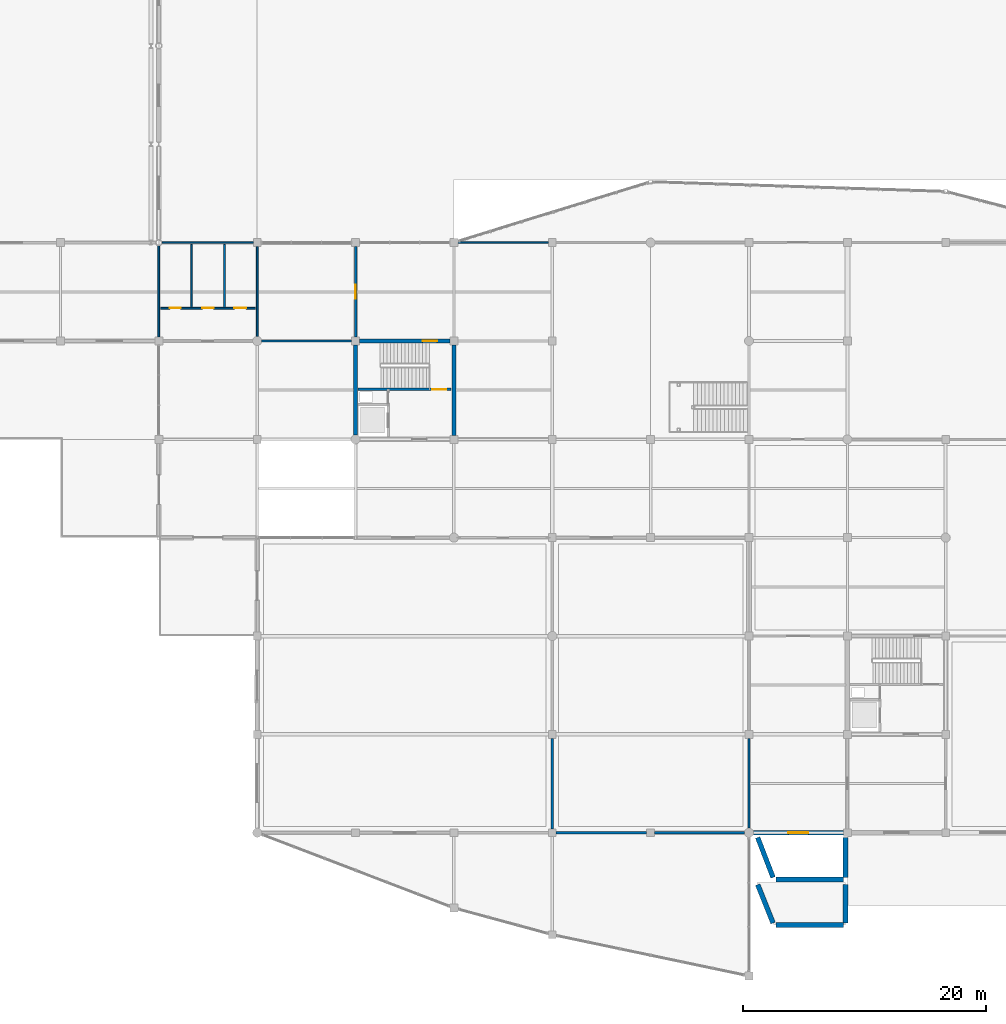
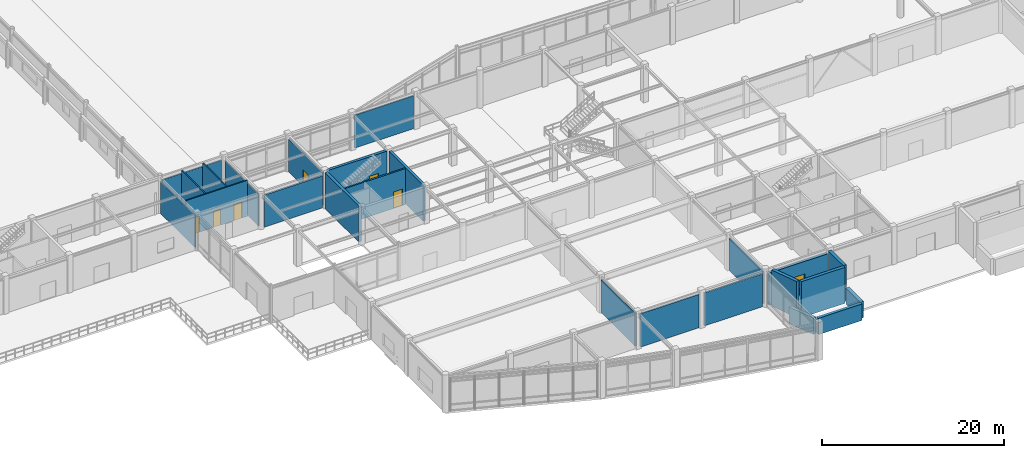
# One storey, part 62 of 99: 24 walls, 6 doors, 1 window, 7 openings.
"""IFC4 building model written with IfcOpenShell, lengths in metres."""

from ifc_helpers import new_model, si_unit, direction, frame, frame_2d, origin, place, context, subcontext, project, spatial, rectangle, extrude, material, layer, layer_set, type_object, element, fill, save


model = new_model("IFC4")

# Units and contexts
model_context = context("Model", 3, precision=1e-05, world=origin(), true_north=direction((0.0, 1.0)))
body_context = subcontext(model_context, "Body", "Model", "MODEL_VIEW")
ifc_project = project(units=[si_unit("LENGTHUNIT", "METRE"), si_unit("AREAUNIT", "SQUARE_METRE"), si_unit("VOLUMEUNIT", "CUBIC_METRE"), si_unit("PLANEANGLEUNIT", "RADIAN"), si_unit("MASSUNIT", "GRAM", prefix="KILO")], contexts=[model_context])

# Site, building, storey
site_placement = place(None, origin())
site = spatial("IfcSite", under=ifc_project, at=site_placement, CompositionType="ELEMENT")
building_placement = place(site_placement, origin())
building = spatial("IfcBuilding", under=site, at=building_placement, Name="Vaudrelin Polytechnic", CompositionType="ELEMENT")
storey_placement = place(building_placement, origin())
storey = spatial("IfcBuildingStorey", under=building, at=storey_placement, Name="L00", CompositionType="ELEMENT", Elevation=0.0)

# Wall, opening, window
ifc_material_1 = material(Name="Concrete 35 MPa", Category="concrete")
ifc_layer_1 = layer(ifc_material_1, 0.39990234375)
ifc_layer_set_1 = layer_set([ifc_layer_1], Name="Concrete 35 MPa")
wall_type_1 = type_object("IfcWallType", Name="WAL-EW-BERM400", PredefinedType="STANDARD", material=ifc_layer_set_1)
wall_1_placement = place(storey_placement, frame((81.373046875, 0.0, 0.0), z_axis=(0.0, 0.0, 1.0), x_axis=(1.0, 0.0, 0.0)))
wall_1 = element("IfcWall", 1, at=wall_1_placement, inside=storey, type_object=wall_type_1, Name="Exterior wall L00 S_V3_00", PredefinedType="STANDARD", context=body_context, shape_type="SweptSolid", body=[
    extrude(rectangle(XDim=7.404052734375, YDim=0.39990234375, at=frame_2d((3.7021484375, 0.0))), origin(), (0.0, 0.0, 1.0), 4.2890625),
])
opening_1_placement = place(wall_1_placement, frame((2.876953125, 0.0, 0.85009765625)))
opening_1 = element("IfcOpeningElement", 2, at=opening_1_placement, cuts=wall_1, Name="Opening W-L00-S-V3-01", PredefinedType="OPENING", context=body_context, shape_type="SweptSolid", body=[
    extrude(rectangle(XDim=1.64990234375, YDim=1.75, at=frame_2d((0.824951171875, 0.875))), frame((0.0, 0.2099609375, 0.0), z_axis=(0.0, -1.0, 0.0), x_axis=(1.0, 0.0, 0.0)), (0.0, 0.0, 1.0), 0.419921875),
])
ifc_material_2 = material(Name="Thermally broken aluminium frame with triple low-e glazing", Category="aluminium")
window_type = type_object("IfcWindowType", Name="WIN-WN-18", PartitioningType="SINGLE_PANEL", PredefinedType="WINDOW", material=ifc_material_2)
window_placement = place(opening_1_placement, origin())
window = element("IfcWindow", 3, at=window_placement, inside=storey, type_object=window_type, Name="Facade window L00-S_V3_00", OverallHeight=1.75, OverallWidth=1.64990234375, PartitioningType="SINGLE_PANEL", PredefinedType="WINDOW", context=body_context, shape_type="SweptSolid", body=[
    extrude(rectangle(XDim=1.64990234375, YDim=1.75, at=frame_2d((0.824951171875, 0.875))), frame((0.0, 0.030029296875, 0.0), z_axis=(0.0, -1.0, 0.0), x_axis=(1.0, 0.0, 0.0)), (0.0, 0.0, 1.0), 0.06005859375),
])
fill(opening_1, window)

# Walls
ifc_material_3 = material(Name="Acoustic double-stud gypsum & mineral-wool partition", Category="gypsum")
ifc_layer_2 = layer(ifc_material_3, 0.179931640625)
ifc_layer_set_2 = layer_set([ifc_layer_2], Name="Acoustic double-stud gypsum & mineral-wool partition")
wall_type_2 = type_object("IfcWallType", Name="WAL-PW-AC180", PredefinedType="PARTITIONING", material=ifc_layer_set_2)
wall_2_placement = place(storey_placement, frame((64.800048828125, 0.322998046875, 0.0), z_axis=(0.0, 0.0, 1.0), x_axis=(0.0, 1.0, 0.0)))
element("IfcWall", 4, at=wall_2_placement, inside=storey, type_object=wall_type_2, Name="Partition L00-008 E", PredefinedType="PARTITIONING", context=body_context, shape_type="SweptSolid", body=[
    extrude(rectangle(XDim=7.4541015625, YDim=0.179931640625, at=frame_2d((3.72705078125, 0.0))), origin(), (0.0, 0.0, 1.0), 4.466064453125),
])
wall_3_placement = place(storey_placement, frame((81.0, 0.373046875, 0.0), z_axis=(0.0, 0.0, 1.0), x_axis=(0.0, 1.0, 0.0)))
element("IfcWall", 5, at=wall_3_placement, inside=storey, type_object=wall_type_2, Name="Partition L00-009 E", PredefinedType="PARTITIONING", context=body_context, shape_type="SweptSolid", body=[
    extrude(rectangle(XDim=7.404052734375, YDim=0.179931640625, at=frame_2d((3.7021484375, 0.0))), origin(), (0.0, 0.0, 1.0), 4.2890625),
])
wall_4_placement = place(storey_placement, frame((65.123046875, 0.0, 0.0), z_axis=(0.0, 0.0, 1.0), x_axis=(1.0, 0.0, 0.0)))
element("IfcWall", 6, at=wall_4_placement, inside=storey, type_object=wall_type_2, Name="Partition L00-009 S", PredefinedType="PARTITIONING", context=body_context, shape_type="SweptSolid", body=[
    extrude(rectangle(XDim=7.453857421875, YDim=0.179931640625, at=frame_2d((3.72705078125, 0.0))), origin(), (0.0, 0.0, 1.0), 4.466064453125),
])
wall_5_placement = place(storey_placement, frame((73.222900390625, 0.0, 0.0), z_axis=(0.0, 0.0, 1.0), x_axis=(1.0, 0.0, 0.0)))
element("IfcWall", 7, at=wall_5_placement, inside=storey, type_object=wall_type_2, Name="Partition L00-009 S", PredefinedType="PARTITIONING", context=body_context, shape_type="SweptSolid", body=[
    extrude(rectangle(XDim=7.404052734375, YDim=0.179931640625, at=frame_2d((3.7021484375, 0.0))), origin(), (0.0, 0.0, 1.0), 4.406982421875),
])

# Wall, opening, door
ifc_material_4 = material(Name="Concrete masonry unit 20 MPa shaft & corridor fire wall", Category="masonry")
ifc_layer_3 = layer(ifc_material_4, 0.199951171875)
ifc_layer_set_3 = layer_set([ifc_layer_3], Name="Concrete masonry unit 20 MPa shaft & corridor fire wall")
wall_type_3 = type_object("IfcWallType", Name="WAL-PW-FIRE120", PredefinedType="PARTITIONING", material=ifc_layer_set_3)
wall_6_placement = place(storey_placement, frame((48.60009765625, 40.822998046875, 0.0), z_axis=(0.0, 0.0, 1.0), x_axis=(0.0, 1.0, 0.0)))
wall_6 = element("IfcWall", 8, at=wall_6_placement, inside=storey, type_object=wall_type_3, Name="Partition L00-002 E", PredefinedType="PARTITIONING", context=body_context, shape_type="SweptSolid", body=[
    extrude(rectangle(XDim=7.4541015625, YDim=0.199951171875, at=frame_2d((3.72705078125, 0.0))), origin(), (0.0, 0.0, 1.0), 4.35888671875),
])
opening_2_placement = place(wall_6_placement, frame((3.1669921875, 0.0, 0.0)))
opening_2 = element("IfcOpeningElement", 9, at=opening_2_placement, cuts=wall_6, Name="Opening D-L00-421", PredefinedType="OPENING", context=body_context, shape_type="SweptSolid", body=[
    extrude(rectangle(XDim=1.1201171875, YDim=2.199951171875, at=frame_2d((0.56005859375, 1.10009765625))), frame((0.0, 0.10986328125, 0.0), z_axis=(0.0, -1.0, 0.0), x_axis=(1.0, 0.0, 0.0)), (0.0, 0.0, 1.0), 0.219970703125),
])
ifc_material_5 = material(Name="Pressed galvanised steel acoustic leaf", Category="steel")
door_type_1 = type_object("IfcDoorType", Name="DOR-ID-FCR1", OperationType="NOTDEFINED", PredefinedType="DOOR", material=ifc_material_5)
door_1_placement = place(opening_2_placement, origin())
door_1 = element("IfcDoor", 10, at=door_1_placement, inside=storey, type_object=door_type_1, Name="Fire Command Room door L00-002", OperationType="SINGLE_SWING_LEFT", OverallHeight=2.199951171875, OverallWidth=1.1201171875, PredefinedType="DOOR", context=body_context, shape_type="SweptSolid", body=[
    extrude(rectangle(XDim=1.1201171875, YDim=2.199951171875, at=frame_2d((0.56005859375, 1.10009765625))), frame((0.0, 0.02490234375, 0.0), z_axis=(0.0, -1.0, 0.0), x_axis=(1.0, 0.0, 0.0)), (0.0, 0.0, 1.0), 0.050048828125),
])
fill(opening_2, door_1)

# Walls
wall_7_placement = place(storey_placement, frame((40.873046875, 40.5, 0.0), z_axis=(0.0, 0.0, 1.0), x_axis=(1.0, 0.0, 0.0)))
element("IfcWall", 11, at=wall_7_placement, inside=storey, type_object=wall_type_3, Name="Partition L00-002 S", PredefinedType="PARTITIONING", context=body_context, shape_type="SweptSolid", body=[
    extrude(rectangle(XDim=7.404052734375, YDim=0.199951171875, at=frame_2d((3.7021484375, 0.0))), origin(), (0.0, 0.0, 1.0), 4.2890625),
])
ifc_material_6 = material(Name="Acoustic steel-stud office & study room partition", Category="steel")
ifc_layer_4 = layer(ifc_material_6, 0.135009765625)
ifc_layer_set_4 = layer_set([ifc_layer_4], Name="Acoustic steel-stud office & study room partition")
wall_type_4 = type_object("IfcWallType", Name="WAL-PW-OFF135", PredefinedType="PARTITIONING", material=ifc_layer_set_4)
wall_8_placement = place(storey_placement, frame((57.02294921875, 48.60009765625, 0.0), z_axis=(0.0, 0.0, 1.0), x_axis=(1.0, 0.0, 0.0)))
element("IfcWall", 12, at=wall_8_placement, inside=storey, type_object=wall_type_4, Name="Courtyard exhibition pod partition L00-7", PredefinedType="PARTITIONING", context=body_context, shape_type="SweptSolid", body=[
    extrude(rectangle(XDim=7.4541015625, YDim=0.135009765625, at=frame_2d((3.72705078125, 0.0))), origin(), (0.0, 0.0, 1.0), 4.412109375),
])
ifc_material_7 = material(Name="Cement-board tiled wet-wall washroom partition", Category="gypsum")
ifc_layer_5 = layer(ifc_material_7, 0.139892578125)
ifc_layer_set_5 = layer_set([ifc_layer_5], Name="Cement-board tiled wet-wall washroom partition")
wall_type_5 = type_object("IfcWallType", Name="WAL-PW-WC140", PredefinedType="PARTITIONING", material=ifc_layer_set_5)
wall_9_placement = place(storey_placement, frame((32.652099609375, 48.60009765625, 0.0), z_axis=(0.0, 0.0, 1.0), x_axis=(1.0, 0.0, 0.0)))
element("IfcWall", 13, at=wall_9_placement, inside=storey, type_object=wall_type_5, Name="Washroom enclosure wall L00-4-5-N", PredefinedType="PARTITIONING", context=body_context, shape_type="SweptSolid", body=[
    extrude(rectangle(XDim=7.52490234375, YDim=0.139892578125, at=frame_2d((3.762451171875, 0.0))), origin(), (0.0, 0.0, 1.0), 4.287109375),
])
wall_10_placement = place(storey_placement, frame((32.39990234375, 40.822998046875, 0.0), z_axis=(0.0, 0.0, 1.0), x_axis=(0.0, 1.0, 0.0)))
element("IfcWall", 14, at=wall_10_placement, inside=storey, type_object=wall_type_5, Name="Washroom enclosure wall L00-4-5-W", PredefinedType="PARTITIONING", context=body_context, shape_type="SweptSolid", body=[
    extrude(rectangle(XDim=7.52490234375, YDim=0.139892578125, at=frame_2d((3.762451171875, 0.0))), origin(), (0.0, 0.0, 1.0), 4.27099609375),
])
wall_11_placement = place(storey_placement, frame((40.5, 40.873046875, 0.0), z_axis=(0.0, 0.0, 1.0), x_axis=(0.0, 1.0, 0.0)))
element("IfcWall", 15, at=wall_11_placement, inside=storey, type_object=wall_type_5, Name="Washroom enclosure wall L00-4-5-E", PredefinedType="PARTITIONING", context=body_context, shape_type="SweptSolid", body=[
    extrude(rectangle(XDim=7.404052734375, YDim=0.139892578125, at=frame_2d((3.7021484375, 0.0))), origin(), (0.0, 0.0, 1.0), 4.287109375),
])

# Wall, openings, doors
wall_12_placement = place(storey_placement, frame((32.550048828125, 43.199951171875, 0.0), z_axis=(0.0, 0.0, 1.0), x_axis=(1.0, 0.0, 0.0)))
wall_12 = element("IfcWall", 16, at=wall_12_placement, inside=storey, type_object=wall_type_5, Name="Washroom vestibule divider L00-4-5", PredefinedType="PARTITIONING", context=body_context, shape_type="SweptSolid", body=[
    extrude(rectangle(XDim=7.800048828125, YDim=0.139892578125, at=frame_2d((3.89990234375, 0.0))), origin(), (0.0, 0.0, 1.0), 4.822021484375),
])
opening_3_placement = place(wall_12_placement, frame((0.75, 0.0, 0.0)))
opening_3 = element("IfcOpeningElement", 17, at=opening_3_placement, cuts=wall_12, Name="Opening D-L00-338", PredefinedType="OPENING", context=body_context, shape_type="SweptSolid", body=[
    extrude(rectangle(XDim=0.919921875, YDim=2.14990234375, at=frame_2d((0.4599609375, 1.074951171875))), frame((0.0, 0.080078125, 0.0), z_axis=(0.0, -1.0, 0.0), x_axis=(1.0, 0.0, 0.0)), (0.0, 0.0, 1.0), 0.159912109375),
])
opening_4_placement = place(wall_12_placement, frame((3.43994140625, 0.0, 0.0)))
opening_4 = element("IfcOpeningElement", 18, at=opening_4_placement, cuts=wall_12, Name="Opening D-L00-339", PredefinedType="OPENING", context=body_context, shape_type="SweptSolid", body=[
    extrude(rectangle(XDim=0.919921875, YDim=2.14990234375, at=frame_2d((0.4599609375, 1.074951171875))), frame((0.0, 0.080078125, 0.0), z_axis=(0.0, -1.0, 0.0), x_axis=(1.0, 0.0, 0.0)), (0.0, 0.0, 1.0), 0.159912109375),
])
opening_5_placement = place(wall_12_placement, frame((6.050048828125, 0.0, 0.0)))
opening_5 = element("IfcOpeningElement", 19, at=opening_5_placement, cuts=wall_12, Name="Opening D-L00-340", PredefinedType="OPENING", context=body_context, shape_type="SweptSolid", body=[
    extrude(rectangle(XDim=1.0, YDim=2.14990234375, at=frame_2d((0.5, 1.074951171875))), frame((0.0, 0.080078125, 0.0), z_axis=(0.0, -1.0, 0.0), x_axis=(1.0, 0.0, 0.0)), (0.0, 0.0, 1.0), 0.159912109375),
])
ifc_material_8 = material(Name="Solid-core birch veneer acoustic leaf", Category="wood")
door_type_2 = type_object("IfcDoorType", Name="DOR-ID-AWC1", OperationType="NOTDEFINED", PredefinedType="DOOR", material=ifc_material_8)
door_2_placement = place(opening_5_placement, origin())
door_2 = element("IfcDoor", 20, at=door_2_placement, inside=storey, type_object=door_type_2, Name="Washroom stall-room door L00-4-5-3", OperationType="SINGLE_SWING_LEFT", OverallHeight=2.14990234375, OverallWidth=1.0, PredefinedType="DOOR", context=body_context, shape_type="SweptSolid", body=[
    extrude(rectangle(XDim=1.0, YDim=2.14990234375, at=frame_2d((0.5, 1.074951171875))), frame((0.0, 0.02490234375, 0.0), z_axis=(0.0, -1.0, 0.0), x_axis=(1.0, 0.0, 0.0)), (0.0, 0.0, 1.0), 0.050048828125),
])
fill(opening_5, door_2)
door_type_3 = type_object("IfcDoorType", Name="DOR-ID-WC1", OperationType="NOTDEFINED", PredefinedType="DOOR", material=ifc_material_8)
door_3_placement = place(opening_3_placement, origin())
door_3 = element("IfcDoor", 21, at=door_3_placement, inside=storey, type_object=door_type_3, Name="Washroom stall-room door L00-4-5-1", OperationType="SINGLE_SWING_LEFT", OverallHeight=2.14990234375, OverallWidth=0.919921875, PredefinedType="DOOR", context=body_context, shape_type="SweptSolid", body=[
    extrude(rectangle(XDim=0.919921875, YDim=2.14990234375, at=frame_2d((0.4599609375, 1.074951171875))), frame((0.0, 0.02490234375, 0.0), z_axis=(0.0, -1.0, 0.0), x_axis=(1.0, 0.0, 0.0)), (0.0, 0.0, 1.0), 0.050048828125),
])
fill(opening_3, door_3)
door_4_placement = place(opening_4_placement, origin())
door_4 = element("IfcDoor", 22, at=door_4_placement, inside=storey, type_object=door_type_3, Name="Washroom stall-room door L00-4-5-2", OperationType="SINGLE_SWING_RIGHT", OverallHeight=2.14990234375, OverallWidth=0.919921875, PredefinedType="DOOR", context=body_context, shape_type="SweptSolid", body=[
    extrude(rectangle(XDim=0.919921875, YDim=2.14990234375, at=frame_2d((0.4599609375, 1.074951171875))), frame((0.0, 0.02490234375, 0.0), z_axis=(0.0, -1.0, 0.0), x_axis=(1.0, 0.0, 0.0)), (0.0, 0.0, 1.0), 0.050048828125),
])
fill(opening_4, door_4)

# Walls
for number, where, z_axis, x_axis, name in (
    (23, (35.10009765625, 43.27001953125, 0.0), (0.0, 0.0, 1.0), (0.0, 1.0, 0.0), "Washroom separation wall L00-4-5-1"),
    (24, (37.800048828125, 43.27001953125, 0.0), (0.0, 0.0, 1.0), (0.0, 1.0, 0.0), "Washroom separation wall L00-4-5-2"),
):
    element("IfcWall", number, at=place(storey_placement, frame(where, z_axis=z_axis, x_axis=x_axis)), inside=storey, type_object=wall_type_5, Name=name, PredefinedType="PARTITIONING", context=body_context, shape_type="SweptSolid", body=[
        extrude(rectangle(XDim=5.179931640625, YDim=0.139892578125, at=frame_2d((2.58984375, 0.0))), origin(), (0.0, 0.0, 1.0), 4.822021484375),
    ])

# Wall, opening, door
ifc_material_9 = material(Name="Concrete 40 MPa", Category="concrete")
ifc_layer_6 = layer(ifc_material_9, 0.199951171875)
ifc_layer_set_6 = layer_set([ifc_layer_6], Name="Concrete 40 MPa")
wall_type_6 = type_object("IfcWallType", Name="WAL-SW-CORE200", PredefinedType="SHEAR", material=ifc_layer_set_6)
wall_13_placement = place(storey_placement, frame((48.820068359375, 36.510009765625, 0.0), z_axis=(0.0, 0.0, 1.0), x_axis=(1.0, 0.0, 0.0)))
wall_13 = element("IfcWall", 25, at=wall_13_placement, inside=storey, type_object=wall_type_6, Name="Core C4 stair enclosure wall L00", PredefinedType="SHEAR", context=body_context, shape_type="SweptSolid", body=[
    extrude(rectangle(XDim=7.659912109375, YDim=0.199951171875, at=frame_2d((3.830078125, 0.0))), origin(), (0.0, 0.0, 1.0), 4.822021484375),
])
opening_6_placement = place(wall_13_placement, frame((6.110107421875, 0.0, 0.0)))
opening_6 = element("IfcOpeningElement", 26, at=opening_6_placement, cuts=wall_13, Name="Opening D-L00-064", PredefinedType="OPENING", context=body_context, shape_type="SweptSolid", body=[
    extrude(rectangle(XDim=1.14990234375, YDim=2.199951171875, at=frame_2d((0.574951171875, 1.10009765625))), frame((0.0, 0.10986328125, 0.0), z_axis=(0.0, -1.0, 0.0), x_axis=(1.0, 0.0, 0.0)), (0.0, 0.0, 1.0), 0.219970703125),
])
door_type_4 = type_object("IfcDoorType", Name="DOR-ID-ST1", OperationType="NOTDEFINED", PredefinedType="DOOR", material=ifc_material_5)
door_5_placement = place(opening_6_placement, origin())
door_5 = element("IfcDoor", 27, at=door_5_placement, inside=storey, type_object=door_type_4, Name="Core C4 exit stair door L00", OperationType="SINGLE_SWING_LEFT", OverallHeight=2.199951171875, OverallWidth=1.14990234375, PredefinedType="DOOR", context=body_context, shape_type="SweptSolid", body=[
    extrude(rectangle(XDim=1.14990234375, YDim=2.199951171875, at=frame_2d((0.574951171875, 1.10009765625))), frame((0.0, 0.02490234375, 0.0), z_axis=(0.0, -1.0, 0.0), x_axis=(1.0, 0.0, 0.0)), (0.0, 0.0, 1.0), 0.050048828125),
])
fill(opening_6, door_5)

ifc_material_10 = material(Name="Concrete 50 MPa", Category="concrete")
ifc_layer_7 = layer(ifc_material_10, 0.35009765625)
ifc_layer_set_7 = layer_set([ifc_layer_7], Name="Concrete 50 MPa")
wall_type_7 = type_object("IfcWallType", Name="WAL-SW-CORE350", PredefinedType="SHEAR", material=ifc_layer_set_7)
wall_14_placement = place(storey_placement, frame((48.923095703125, 40.5, 0.0), z_axis=(0.0, 0.0, 1.0), x_axis=(1.0, 0.0, 0.0)))
wall_14 = element("IfcWall", 28, at=wall_14_placement, inside=storey, type_object=wall_type_7, Name="Core C4 N shear wall L00", PredefinedType="SHEAR", context=body_context, shape_type="SweptSolid", body=[
    extrude(rectangle(XDim=7.453857421875, YDim=0.35009765625, at=frame_2d((3.72705078125, 0.0))), origin(), (0.0, 0.0, 1.0), 4.822021484375),
])
opening_7_placement = place(wall_14_placement, frame((5.2041015625, 0.0, 0.0)))
opening_7 = element("IfcOpeningElement", 29, at=opening_7_placement, cuts=wall_14, Name="Opening D-L00-062", PredefinedType="OPENING", context=body_context, shape_type="SweptSolid", body=[
    extrude(rectangle(XDim=1.199951171875, YDim=2.199951171875, at=frame_2d((0.60009765625, 1.10009765625))), frame((0.0, 0.18505859375, 0.0), z_axis=(0.0, -1.0, 0.0), x_axis=(1.0, 0.0, 0.0)), (0.0, 0.0, 1.0), 0.3701171875),
])
door_type_5 = type_object("IfcDoorType", Name="DOR-ID-LB1", OperationType="NOTDEFINED", PredefinedType="DOOR", material=ifc_material_5)
door_6_placement = place(opening_7_placement, origin())
door_6 = element("IfcDoor", 30, at=door_6_placement, inside=storey, type_object=door_type_5, Name="Core C4 lobby fire door L00", OperationType="SINGLE_SWING_RIGHT", OverallHeight=2.199951171875, OverallWidth=1.199951171875, PredefinedType="DOOR", context=body_context, shape_type="SweptSolid", body=[
    extrude(rectangle(XDim=1.199951171875, YDim=2.199951171875, at=frame_2d((0.60009765625, 1.10009765625))), frame((0.0, 0.02490234375, 0.0), z_axis=(0.0, -1.0, 0.0), x_axis=(1.0, 0.0, 0.0)), (0.0, 0.0, 1.0), 0.050048828125),
])
fill(opening_7, door_6)

# Walls
wall_15_placement = place(storey_placement, frame((48.60009765625, 32.77294921875, 0.0), z_axis=(0.0, 0.0, 1.0), x_axis=(0.0, 1.0, 0.0)))
element("IfcWall", 31, at=wall_15_placement, inside=storey, type_object=wall_type_7, Name="Core C4 W shear wall L00", PredefinedType="SHEAR", context=body_context, shape_type="SweptSolid", body=[
    extrude(rectangle(XDim=7.404052734375, YDim=0.35009765625, at=frame_2d((3.7021484375, 0.0))), origin(), (0.0, 0.0, 1.0), 4.822021484375),
])
wall_16_placement = place(storey_placement, frame((56.699951171875, 32.722900390625, 0.0), z_axis=(0.0, 0.0, 1.0), x_axis=(0.0, 1.0, 0.0)))
element("IfcWall", 32, at=wall_16_placement, inside=storey, type_object=wall_type_7, Name="Core C4 E shear wall L00", PredefinedType="SHEAR", context=body_context, shape_type="SweptSolid", body=[
    extrude(rectangle(XDim=7.4541015625, YDim=0.35009765625, at=frame_2d((3.72705078125, 0.0))), origin(), (0.0, 0.0, 1.0), 4.822021484375),
])
ifc_layer_8 = layer(ifc_material_9, 0.39990234375)
ifc_layer_set_8 = layer_set([ifc_layer_8], Name="Concrete 40 MPa")
wall_type_8 = type_object("IfcWallType", Name="WAL-SW-RET400", PredefinedType="SOLIDWALL", material=ifc_layer_set_8)
wall_17_placement = place(storey_placement, frame((83.22998046875, -7.60009765625, 0.0), z_axis=(0.0, 0.0, 1.0), x_axis=(1.0, 0.0, 0.0)))
element("IfcWall", 33, at=wall_17_placement, inside=storey, type_object=wall_type_8, Name="Green-hill stone retaining wall WEST-1.1", PredefinedType="SOLIDWALL", context=body_context, shape_type="SweptSolid", body=[
    extrude(rectangle(XDim=5.5400390625, YDim=0.39990234375, at=frame_2d((2.77001953125, 0.0))), origin(), (0.0, 0.0, 1.0), 2.19189453125),
])
wall_18_placement = place(storey_placement, frame((88.949951171875, -7.419921875, 0.0), z_axis=(0.0, 0.0, 1.0), x_axis=(0.0, 1.0, 0.0)))
element("IfcWall", 34, at=wall_18_placement, inside=storey, type_object=wall_type_8, Name="Green-hill stone retaining wall WEST-1.2", PredefinedType="SOLIDWALL", context=body_context, shape_type="SweptSolid", body=[
    extrude(rectangle(XDim=3.139892578125, YDim=0.39990234375, at=frame_2d((1.56982421875, 0.0))), origin(), (0.0, 0.0, 1.0), 2.19189453125),
])
wall_19_placement = place(storey_placement, frame((81.716796875, -4.26708984375, 0.0), z_axis=(0.0, 0.0, 1.0), x_axis=(0.371403021608, -0.928471752688, 0.0)))
element("IfcWall", 35, at=wall_19_placement, inside=storey, type_object=wall_type_8, Name="Green-hill stone retaining wall WEST-1.3", PredefinedType="SOLIDWALL", context=body_context, shape_type="SweptSolid", body=[
    extrude(rectangle(XDim=3.40966796875, YDim=0.39990234375, at=frame_2d((1.704833984375, 0.0))), origin(), (0.0, 0.0, 1.0), 2.19189453125),
])
wall_20_placement = place(storey_placement, frame((83.22998046875, -3.85009765625, 0.0), z_axis=(0.0, 0.0, 1.0), x_axis=(1.0, 0.0, 0.0)))
element("IfcWall", 36, at=wall_20_placement, inside=storey, type_object=wall_type_8, Name="Green-hill stone retaining wall WEST-2.1", PredefinedType="SOLIDWALL", context=body_context, shape_type="SweptSolid", body=[
    extrude(rectangle(XDim=5.5400390625, YDim=0.39990234375, at=frame_2d((2.77001953125, 0.0))), origin(), (0.0, 0.0, 1.0), 4.822021484375),
])
wall_21_placement = place(storey_placement, frame((88.949951171875, -3.669921875, 0.0), z_axis=(0.0, 0.0, 1.0), x_axis=(0.0, 1.0, 0.0)))
element("IfcWall", 37, at=wall_21_placement, inside=storey, type_object=wall_type_8, Name="Green-hill stone retaining wall WEST-2.2", PredefinedType="SOLIDWALL", context=body_context, shape_type="SweptSolid", body=[
    extrude(rectangle(XDim=3.27001953125, YDim=0.39990234375, at=frame_2d((1.635009765625, 0.0))), origin(), (0.0, 0.0, 1.0), 4.822021484375),
])
wall_22_placement = place(storey_placement, frame((81.71484375, -0.387939453125, 0.0), z_axis=(0.0, 0.0, 1.0), x_axis=(0.359785215101, -0.933035154212, 0.0)))
element("IfcWall", 38, at=wall_22_placement, inside=storey, type_object=wall_type_8, Name="Green-hill stone retaining wall WEST-2.3", PredefinedType="SOLIDWALL", context=body_context, shape_type="SweptSolid", body=[
    extrude(rectangle(XDim=3.530517578125, YDim=0.39990234375, at=frame_2d((1.76513671875, 0.0))), origin(), (0.0, 0.0, 1.0), 4.822021484375),
])

save(model, "model.ifc")
